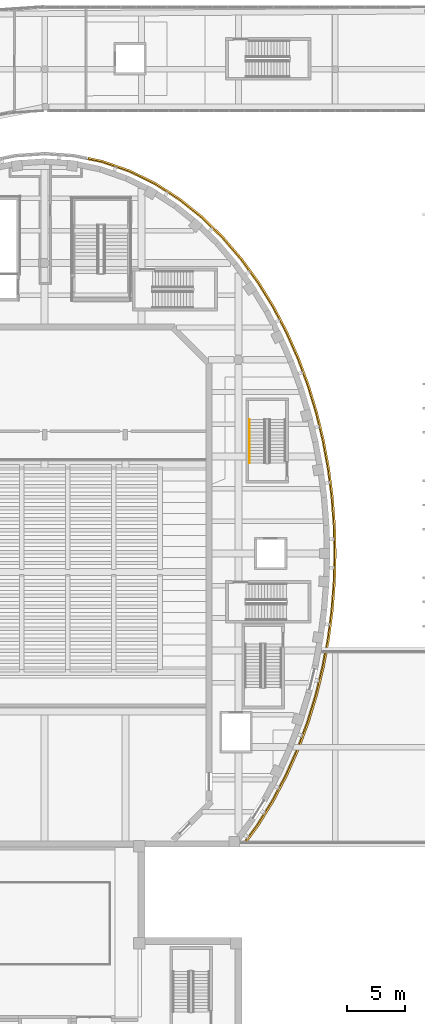
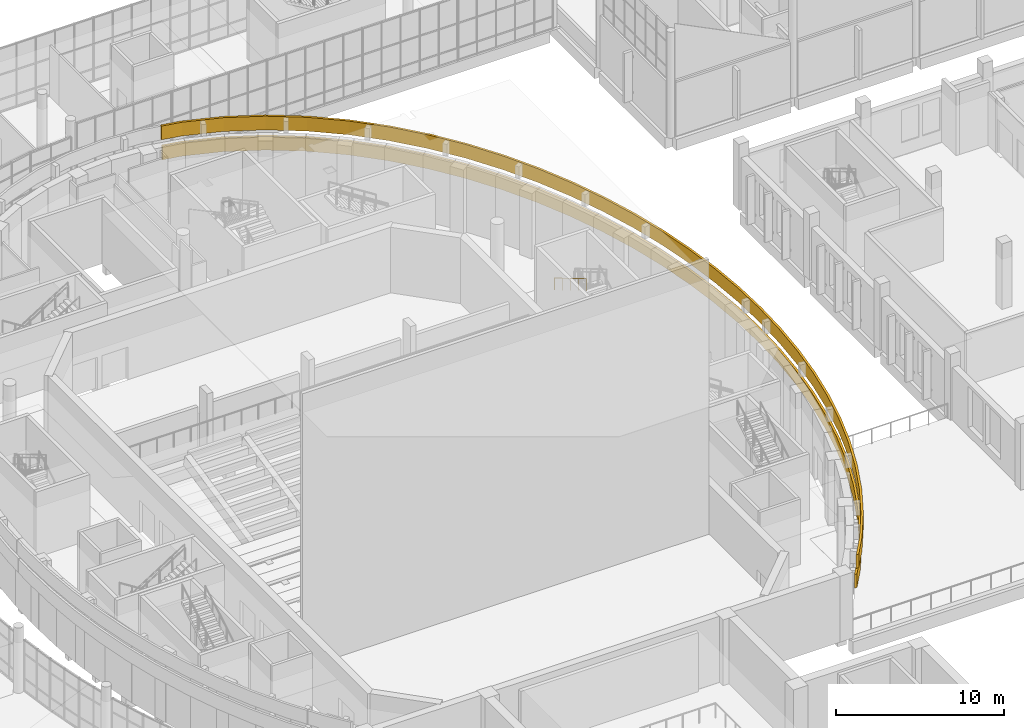
# One storey, part 105 of 119: 2 coverings, 1 railing.
"""IFC4 building model written with IfcOpenShell, lengths in metres."""

from ifc_helpers import new_model, si_unit, direction, frame, origin, origin_2d, place, context, subcontext, project, spatial, polyline, circle, outline, extrude, material, layer, layer_set, type_object, element, save


model = new_model("IFC4")

# Units and contexts
model_context = context("Model", 3, precision=1e-05, world=origin(), true_north=direction((0.0, 1.0)))
body_context = subcontext(model_context, "Body", "Model", "MODEL_VIEW")
ifc_project = project(units=[si_unit("LENGTHUNIT", "METRE"), si_unit("AREAUNIT", "SQUARE_METRE"), si_unit("VOLUMEUNIT", "CUBIC_METRE"), si_unit("PLANEANGLEUNIT", "RADIAN"), si_unit("MASSUNIT", "GRAM", prefix="KILO")], contexts=[model_context])

# Site, building, storey
site_placement = place(None, origin())
site = spatial("IfcSite", under=ifc_project, at=site_placement, CompositionType="ELEMENT")
building_placement = place(site_placement, origin())
building = spatial("IfcBuilding", under=site, at=building_placement, Name="Larchfold Concert Hall", CompositionType="ELEMENT")
storey_placement = place(building_placement, frame((0.0, 0.0, 4.800048828125)))
storey = spatial("IfcBuildingStorey", under=building, at=storey_placement, Name="L01", CompositionType="ELEMENT", Elevation=4.800048828125)

# Coverings
ifc_material_1 = material(Name="Powder-coated orange aluminium", Category="aluminium")
ifc_layer = layer(ifc_material_1, 0.14990234375)
ifc_layer_set = layer_set([ifc_layer], Name="Powder-coated orange aluminium")
covering_type = type_object("IfcCoveringType", Name="Orange aluminium ring cladding", PredefinedType="CLADDING", material=ifc_layer_set)
covering_1_placement = place(storey_placement, frame((0.0, 0.0, 3.300048828125)))
element("IfcCovering", 1, at=covering_1_placement, inside=storey, type_object=covering_type, Name="Ring band R01a", PredefinedType="CLADDING", context=body_context, shape_type="SweptSolid", body=[
    extrude(outline(polyline([(66.760986328125, 74.727294921875), (67.217529296875, 77.172119140625), (67.5419921875, 79.63720703125), (67.73583984375, 82.115478515625), (67.80029296875, 84.60009765625), (67.736572265625, 87.0693359375), (67.545166015625, 89.5322265625), (67.224609375, 91.982421875), (66.77392578125, 94.41259765625), (66.1904296875, 96.81591796875), (65.471435546875, 99.18359375), (64.61328125, 101.506103515625), (63.61181640625, 103.773193359375), (62.462646484375, 105.97216796875), (61.160400390625, 108.088134765625), (59.70068359375, 110.103271484375), (58.078857421875, 111.996826171875), (56.29296875, 113.7431640625), (54.34228515625, 115.31298828125), (52.23291015625, 116.672607421875), (49.9765625, 117.78564453125), (47.59521484375, 118.614990234375), (46.34130859375, 118.875244140625), (46.324951171875, 118.725341796875), (47.55517578125, 118.47021484375), (49.91845703125, 117.647216796875), (52.158935546875, 116.5419921875), (54.25439453125, 115.191162109375), (56.193359375, 113.630859375), (57.96923828125, 111.894287109375), (59.582763671875, 110.01025390625), (61.03564453125, 108.004638671875), (62.33203125, 105.89794921875), (63.4765625, 103.7080078125), (64.47412109375, 101.449951171875), (65.3291015625, 99.1357421875), (66.045654296875, 96.7763671875), (66.627197265625, 94.381103515625), (67.076416015625, 91.958984375), (67.39599609375, 89.5166015625), (67.5869140625, 87.0615234375), (67.650146484375, 84.60009765625), (67.586181640625, 82.123291015625), (67.392822265625, 79.65283203125), (67.0693359375, 77.19580078125), (66.6142578125, 74.7587890625), (66.025390625, 72.349853515625), (65.299560546875, 69.9775390625), (64.43359375, 67.65087890625), (63.42333984375, 65.38134765625), (62.263427734375, 63.181640625), (60.94970703125, 61.067626953125), (59.802001953125, 59.5), (59.98779296875, 59.5), (61.07421875, 60.983642578125), (62.3935546875, 63.107177734375), (63.558349609375, 65.315673828125), (64.572509765625, 67.59423828125), (65.44189453125, 69.92919921875), (66.170166015625, 72.31005859375), (66.760986328125, 74.727294921875)])), origin(), (0.0, 0.0, 1.0), 1.0),
])
covering_2_placement = place(storey_placement, frame((0.0, 0.0, 4.699951171875)))
element("IfcCovering", 2, at=covering_2_placement, inside=storey, type_object=covering_type, Name="Ring band R02a", PredefinedType="CLADDING", context=body_context, shape_type="SweptSolid", body=[
    extrude(outline(polyline([(66.858642578125, 74.7060546875), (67.31640625, 77.156494140625), (67.641357421875, 79.626708984375), (67.8359375, 82.1103515625), (67.900390625, 84.60009765625), (67.836669921875, 87.074462890625), (67.64453125, 89.542724609375), (67.323486328125, 91.998046875), (66.871826171875, 94.43359375), (66.286865234375, 96.84228515625), (65.566162109375, 99.21533203125), (64.7060546875, 101.543701171875), (63.701904296875, 103.816650390625), (62.549560546875, 106.021484375), (61.24365234375, 108.143798828125), (59.779296875, 110.165283203125), (58.15185546875, 112.065185546875), (56.359375, 113.818115234375), (54.40087890625, 115.39404296875), (52.2822265625, 116.759765625), (50.01513671875, 117.878173828125), (47.6220703125, 118.711669921875), (46.35205078125, 118.97509765625), (46.3359375, 118.8251953125), (47.58203125, 118.566650390625), (49.95703125, 117.739501953125), (52.208251953125, 116.629150390625), (54.31298828125, 115.272216796875), (56.259765625, 113.705810546875), (58.042236328125, 111.962646484375), (59.661376953125, 110.072265625), (61.118896484375, 108.060302734375), (62.4189453125, 105.947509765625), (63.566650390625, 103.75146484375), (64.56689453125, 101.487548828125), (65.424072265625, 99.16748046875), (66.14208984375, 96.802734375), (66.72509765625, 94.402099609375), (67.17529296875, 91.974609375), (67.495361328125, 89.527099609375), (67.686767578125, 87.06689453125), (67.750244140625, 84.60009765625), (67.68603515625, 82.1181640625), (67.4921875, 79.642333984375), (67.168212890625, 77.18017578125), (66.7119140625, 74.73779296875), (66.121826171875, 72.323486328125), (65.394287109375, 69.9453125), (64.5263671875, 67.613037109375), (63.513427734375, 65.337646484375), (62.35009765625, 63.132080078125), (61.03271484375, 61.011474609375), (59.926025390625, 59.5), (60.11181640625, 59.5), (61.156982421875, 60.927490234375), (62.48046875, 63.057373046875), (63.6484375, 65.27197265625), (64.665283203125, 67.556396484375), (65.53662109375, 69.897216796875), (66.2666015625, 72.28369140625), (66.858642578125, 74.7060546875)])), origin(), (0.0, 0.0, 1.0), 1.0),
])

# Railing
ifc_material_2 = material(Name="Stainless steel handrail", Category="steel")
railing_type = type_object("IfcRailingType", Name="Stair handrail 900", PredefinedType="HANDRAIL", material=ifc_material_2)
railing_placement = place(storey_placement, frame((60.35009765625, 96.22998046875, 2.56005859375)))
element("IfcRailing", 3, at=railing_placement, inside=storey, type_object=railing_type, Name="Handrail HR0002", PredefinedType="HANDRAIL", context=body_context, shape_type="SweptSolid", body=[
    extrude(circle(Radius=0.02392578125, at=origin_2d()), frame((0.0, 0.0, 0.8759765625), z_axis=(0.0, -0.860294241299, 0.509797821089), x_axis=(1.0, 0.0, 0.0)), (0.0, 0.0, 1.0), 4.393798828125),
    extrude(circle(Radius=0.02099609375, at=origin_2d()), origin(), (0.0, 0.0, 1.0), 0.851806640625),
    extrude(circle(Radius=0.02099609375, at=origin_2d()), frame((0.0, -0.945068359375, 0.56005859375)), (0.0, 0.0, 1.0), 0.851806640625),
    extrude(circle(Radius=0.02099609375, at=origin_2d()), frame((0.0, -1.89013671875, 1.1201171875)), (0.0, 0.0, 1.0), 0.851806640625),
    extrude(circle(Radius=0.02099609375, at=origin_2d()), frame((0.0, -2.8349609375, 1.679931640625)), (0.0, 0.0, 1.0), 0.851806640625),
    extrude(circle(Radius=0.02099609375, at=origin_2d()), frame((0.0, -3.780029296875, 2.239990234375)), (0.0, 0.0, 1.0), 0.851806640625),
])

save(model, "model.ifc")
